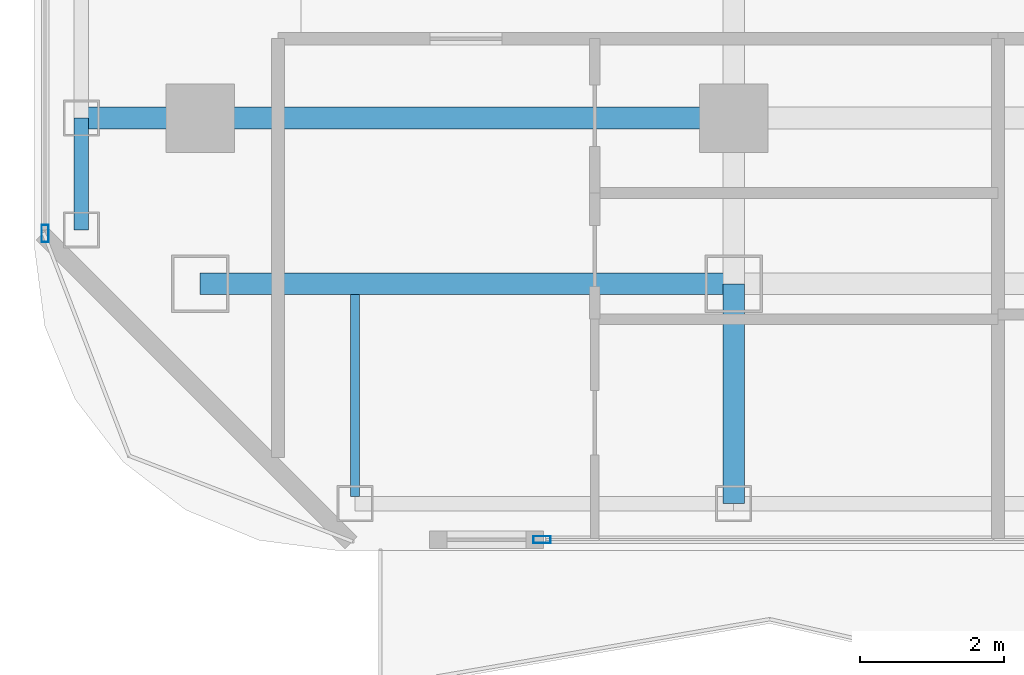
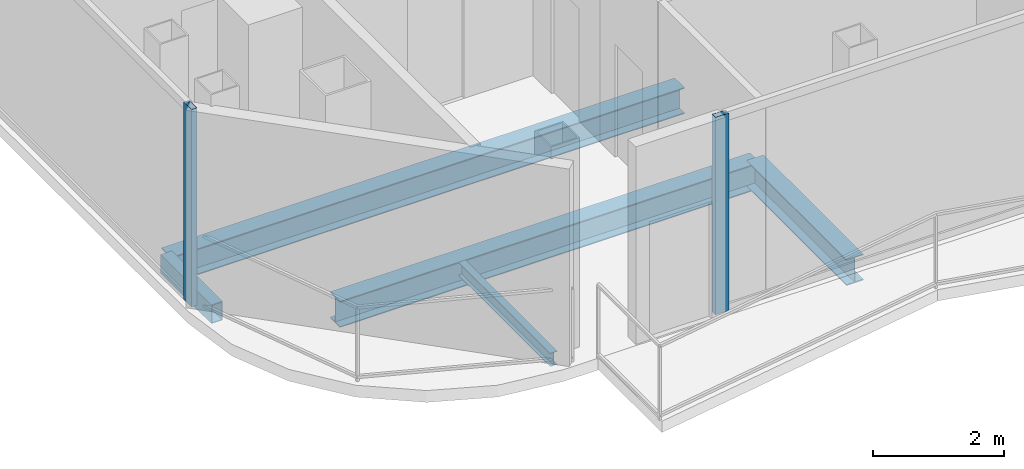
# One storey, part 2 of 26: 5 beams, 2 members, 2 elements without a shape of their own.
"""IFC4 building model written with IfcOpenShell, lengths in metres."""

from ifc_helpers import new_model, si_unit, direction, frame, origin, origin_2d, place, context, subcontext, project, spatial, hollow_rectangle, i_section, extrude, material, layer, layer_set, material_profile, profile_set, type_object, element, aggregate, save


model = new_model("IFC4")

# Units and contexts
model_context = context("Model", 3, precision=1e-05, world=origin(), true_north=direction((0.0, 1.0)))
body_context = subcontext(model_context, "Body", "Model", "MODEL_VIEW")
ifc_project = project(units=[si_unit("LENGTHUNIT", "METRE"), si_unit("AREAUNIT", "SQUARE_METRE"), si_unit("VOLUMEUNIT", "CUBIC_METRE"), si_unit("PLANEANGLEUNIT", "RADIAN"), si_unit("MASSUNIT", "GRAM", prefix="KILO")], contexts=[model_context])

# Site, building, storey
site_placement = place(None, origin())
site = spatial("IfcSite", under=ifc_project, at=site_placement, CompositionType="ELEMENT")
building_placement = place(site_placement, origin())
building = spatial("IfcBuilding", under=site, at=building_placement, Name="Khorvyn Point Tower", CompositionType="ELEMENT")
storey_placement = place(building_placement, frame((0.0, 0.0, 262.5)))
storey = spatial("IfcBuildingStorey", under=building, at=storey_placement, Name="L64", CompositionType="ELEMENT", Elevation=262.5)

# Curtain wall, member
ifc_material_1 = material(Name="Anodised aluminium 6063-T6 and laminated Low-E glass", Category="aluminium")
ifc_layer = layer(ifc_material_1, 0.18994140625)
ifc_layer_set = layer_set([ifc_layer], Name="Stick-Built High-Wind Curtain Wall CW-SYS-04")
curtain_wall_type = type_object("IfcCurtainWallType", Name="Stick-Built High-Wind Curtain Wall CW-SYS-04", PredefinedType="NOTDEFINED", material=ifc_layer_set)
curtain_wall_1_placement = place(storey_placement, origin())
curtain_wall_1 = element("IfcCurtainWall", 1, at=curtain_wall_1_placement, inside=storey, type_object=curtain_wall_type, Name="Curtain Wall", PredefinedType="NOTDEFINED")
ifc_material_2 = material(Name="Anodised aluminium 6063-T6", Category="aluminium")
ifc_material_profile_1 = material_profile(ifc_material_2, hollow_rectangle(XDim=0.10009765625, YDim=0.239990234375, WallThickness=0.0048828125, at=origin_2d()))
ifc_profile_set_1 = profile_set([ifc_material_profile_1], Name="Anodised aluminium 6063-T6 ALU-MUL-100x240")
member_type = type_object("IfcMemberType", Name="Anodised Aluminium 6063-T6 Mullion ALU-MUL-100x240", PredefinedType="MULLION", material=ifc_profile_set_1)
member_1_placement = place(storey_placement, frame((-10.05908203125, -20.64990234375, 0.0), z_axis=(0.0, 0.0, 1.0), x_axis=(0.0, -1.0, 0.0)))
member_1 = element("IfcMember", 2, at=member_1_placement, type_object=member_type, Name="Transom", PredefinedType="MULLION", context=body_context, shape_type="SweptSolid", body=[
    extrude(hollow_rectangle(XDim=0.10009765625, YDim=0.239990234375, WallThickness=0.0048828125, at=origin_2d()), origin(), (0.0, 0.0, 1.0), 3.679931640625),
])
aggregate(curtain_wall_1, [member_1])

curtain_wall_2_placement = place(storey_placement, origin())
curtain_wall_2 = element("IfcCurtainWall", 3, at=curtain_wall_2_placement, inside=storey, type_object=curtain_wall_type, Name="Curtain Wall", PredefinedType="NOTDEFINED")
member_2_placement = place(storey_placement, frame((-16.949951171875, -16.39990234375, 0.0), z_axis=(0.0, 0.0, 1.0), x_axis=(-1.0, 0.0, 0.0)))
member_2 = element("IfcMember", 4, at=member_2_placement, type_object=member_type, Name="Transom", PredefinedType="MULLION", context=body_context, shape_type="SweptSolid", body=[
    extrude(hollow_rectangle(XDim=0.10009765625, YDim=0.239990234375, WallThickness=0.0048828125, at=origin_2d()), origin(), (0.0, 0.0, 1.0), 3.679931640625),
])
aggregate(curtain_wall_2, [member_2])

# Beams
ifc_material_3 = material(Name="Steel S355", Category="steel")
ifc_material_profile_2 = material_profile(ifc_material_3, i_section(OverallWidth=0.125, OverallDepth=0.25, WebThickness=0.006103515625, FlangeThickness=0.009033203125, at=origin_2d()))
ifc_profile_set_2 = profile_set([ifc_material_profile_2], Name="Steel S355 H250x125x6x9")
beam_type_1 = type_object("IfcBeamType", Name="Steel S355 Joist H250x125x6x9", PredefinedType="JOIST", material=ifc_profile_set_2)
beam_1_placement = place(storey_placement, frame((-12.64990234375, -20.050048828125, -0.344970703125), z_axis=(0.0, 1.0, 0.0), x_axis=(-1.0, 0.0, 0.0)))
element("IfcBeam", 5, at=beam_1_placement, inside=storey, type_object=beam_type_1, Name="Beam", PredefinedType="JOIST", context=body_context, shape_type="SweptSolid", body=[
    extrude(i_section(OverallWidth=0.125, OverallDepth=0.25, WebThickness=0.006103515625, FlangeThickness=0.009033203125, at=origin_2d()), origin(), (0.0, 0.0, 1.0), 2.800048828125),
])
ifc_material_profile_3 = material_profile(ifc_material_3, i_section(OverallWidth=0.300048828125, OverallDepth=0.488037109375, WebThickness=0.010986328125, FlangeThickness=0.01806640625, at=origin_2d()))
ifc_profile_set_3 = profile_set([ifc_material_profile_3], Name="Steel S355 H488x300x11x18")
beam_type_2 = type_object("IfcBeamType", Name="Steel S355 Spandrel H488x300x11x18", PredefinedType="SPANDREL", material=ifc_profile_set_3)
beam_2_placement = place(storey_placement, frame((-16.449951171875, -14.800048828125, -0.464111328125), z_axis=(1.0, 0.0, 0.0), x_axis=(0.0, 1.0, 0.0)))
element("IfcBeam", 6, at=beam_2_placement, inside=storey, type_object=beam_type_2, Name="Beam", PredefinedType="SPANDREL", context=body_context, shape_type="SweptSolid", body=[
    extrude(i_section(OverallWidth=0.300048828125, OverallDepth=0.488037109375, WebThickness=0.010986328125, FlangeThickness=0.01806640625, at=origin_2d()), origin(), (0.0, 0.0, 1.0), 9.050048828125),
])
beam_3_placement = place(storey_placement, frame((-14.800048828125, -17.10009765625, -0.464111328125), z_axis=(1.0, 0.0, 0.0), x_axis=(0.0, 1.0, 0.0)))
element("IfcBeam", 7, at=beam_3_placement, inside=storey, type_object=beam_type_2, Name="Beam", PredefinedType="SPANDREL", context=body_context, shape_type="SweptSolid", body=[
    extrude(i_section(OverallWidth=0.300048828125, OverallDepth=0.488037109375, WebThickness=0.010986328125, FlangeThickness=0.01806640625, at=origin_2d()), origin(), (0.0, 0.0, 1.0), 7.400146484375),
])
beam_4_placement = place(storey_placement, frame((-7.39990234375, -20.14990234375, -0.464111328125), z_axis=(0.0, 1.0, 0.0), x_axis=(-1.0, 0.0, 0.0)))
element("IfcBeam", 8, at=beam_4_placement, inside=storey, type_object=beam_type_2, Name="Beam", PredefinedType="SPANDREL", context=body_context, shape_type="SweptSolid", body=[
    extrude(i_section(OverallWidth=0.300048828125, OverallDepth=0.488037109375, WebThickness=0.010986328125, FlangeThickness=0.01806640625, at=origin_2d()), origin(), (0.0, 0.0, 1.0), 3.0498046875),
])
ifc_material_profile_4 = material_profile(ifc_material_3, hollow_rectangle(XDim=0.199951171875, YDim=0.35009765625, WallThickness=0.013916015625, at=origin_2d()))
ifc_profile_set_4 = profile_set([ifc_material_profile_4], Name="Steel S355 RHS350x200x14")
beam_type_3 = type_object("IfcBeamType", Name="Steel S355 Spandrel RHS350x200x14", PredefinedType="SPANDREL", material=ifc_profile_set_4)
beam_5_placement = place(storey_placement, frame((-16.449951171875, -16.35009765625, -0.39501953125), z_axis=(0.0, 1.0, 0.0), x_axis=(-1.0, 0.0, 0.0)))
element("IfcBeam", 9, at=beam_5_placement, inside=storey, type_object=beam_type_3, Name="Beam", PredefinedType="SPANDREL", context=body_context, shape_type="SweptSolid", body=[
    extrude(hollow_rectangle(XDim=0.199951171875, YDim=0.35009765625, WallThickness=0.013916015625, at=origin_2d()), origin(), (0.0, 0.0, 1.0), 1.550048828125),
])

save(model, "model.ifc")
